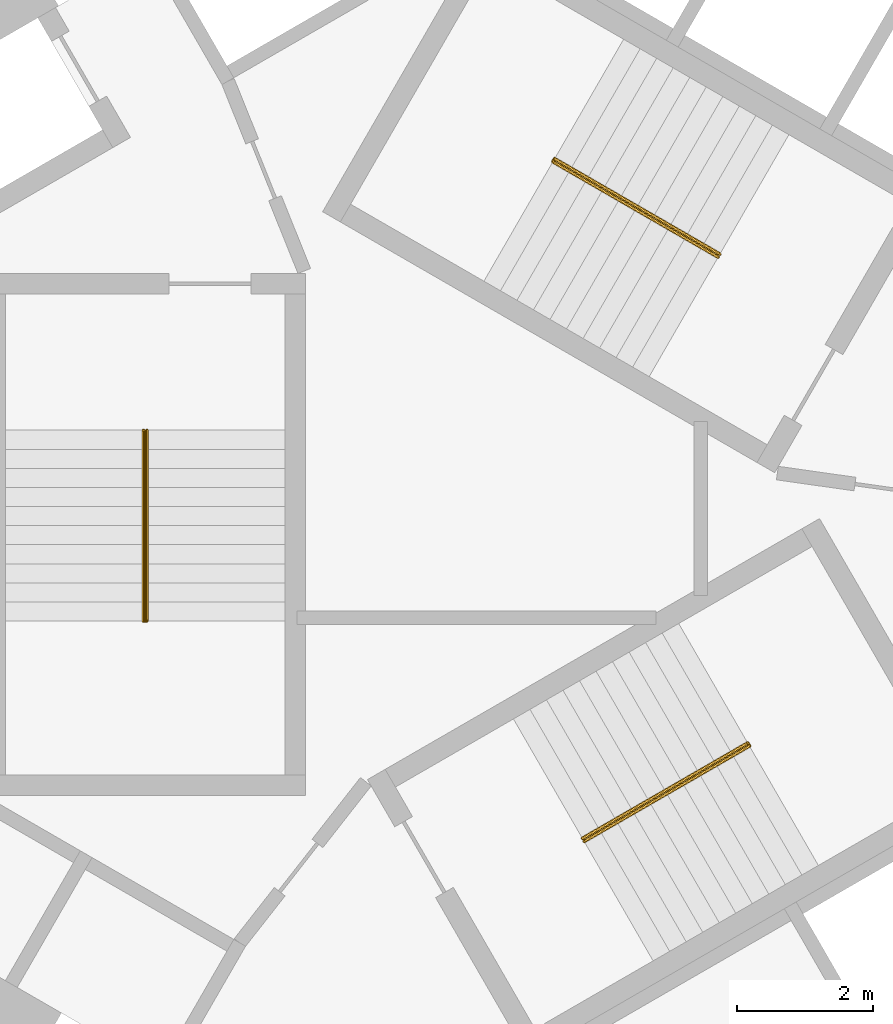
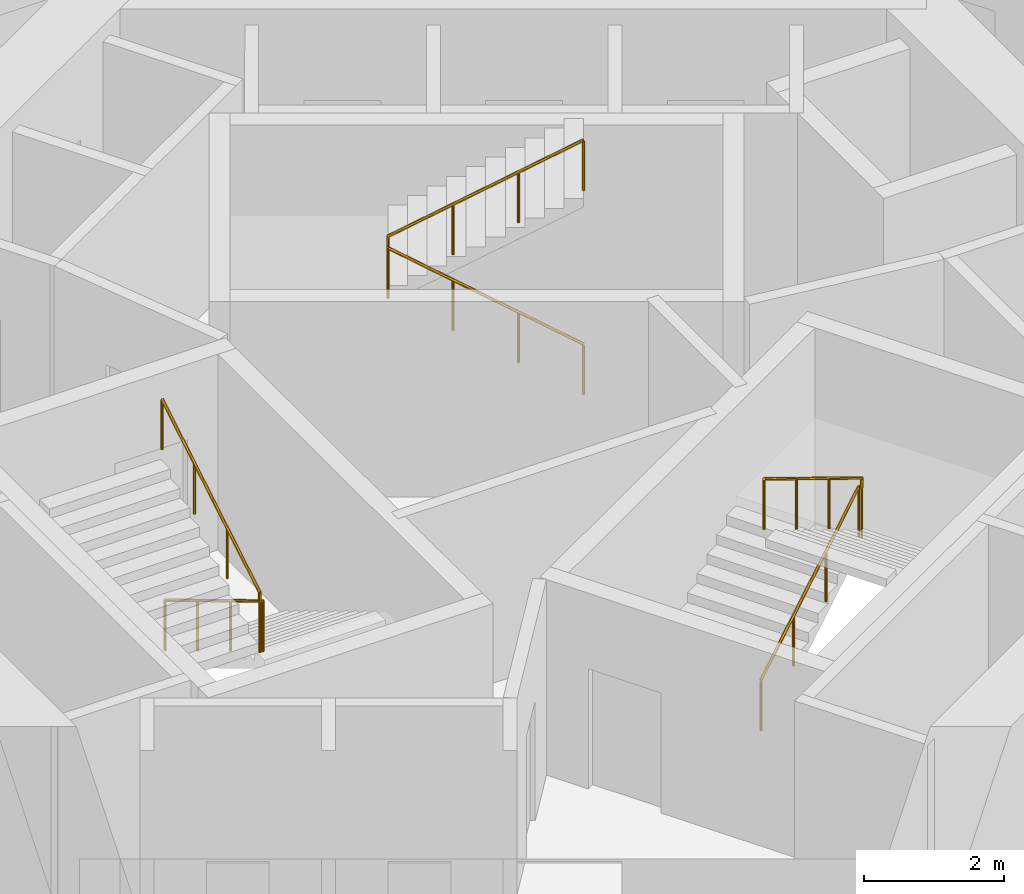
# One storey, part 12 of 12: 3 railings.
"""IFC4 building model written with IfcOpenShell, lengths in metres."""

from ifc_helpers import new_model, si_unit, direction, frame, origin, origin_2d, place, context, subcontext, project, spatial, circle, extrude, material, type_object, element, save


model = new_model("IFC4")

# Units and contexts
model_context = context("Model", 3, precision=1e-05, world=origin(), true_north=direction((0.0, 1.0)))
body_context = subcontext(model_context, "Body", "Model", "MODEL_VIEW")
ifc_project = project(units=[si_unit("LENGTHUNIT", "METRE"), si_unit("AREAUNIT", "SQUARE_METRE"), si_unit("VOLUMEUNIT", "CUBIC_METRE"), si_unit("PLANEANGLEUNIT", "RADIAN"), si_unit("MASSUNIT", "GRAM", prefix="KILO")], contexts=[model_context])

# Site, building, storey
site_placement = place(None, origin())
site = spatial("IfcSite", under=ifc_project, at=site_placement, CompositionType="ELEMENT")
building_placement = place(site_placement, origin())
building = spatial("IfcBuilding", under=site, at=building_placement, Name="Vanh Sen Convention Tower", CompositionType="ELEMENT")
storey_placement = place(building_placement, frame((0.0, 0.0, 124.39990234375)))
storey = spatial("IfcBuildingStorey", under=building, at=storey_placement, Name="L30", CompositionType="ELEMENT", Elevation=124.39990234375)

# Railings
ifc_material = material(Name="Stainless steel handrail", Category="steel")
railing_type = type_object("IfcRailingType", Name="Stair handrail 900", PredefinedType="HANDRAIL", material=ifc_material)
railing_1_placement = place(storey_placement, frame((3.45849609375, 3.690185546875, 0.168212890625)))
element("IfcRailing", 1, at=railing_1_placement, inside=storey, type_object=railing_type, Name="Stair handrail ST1 L30", PredefinedType="HANDRAIL", context=body_context, shape_type="SweptSolid", body=[
    extrude(circle(Radius=0.02392578125, at=origin_2d()), frame((0.0, 0.0, 0.8759765625), z_axis=(-0.742390482028, 0.42860119049, 0.514934356695), x_axis=(-0.49998411664, -0.866034573852, 0.0)), (0.0, 0.0, 1.0), 3.26611328125),
    extrude(circle(Radius=0.02392578125, at=origin_2d()), frame((-2.4248046875, 1.39990234375, 2.5576171875), z_axis=(0.497188445666, 0.867642581652, 0.0), x_axis=(-0.867642581652, 0.497188445666, 0.0)), (0.0, 0.0, 1.0), 0.050048828125),
    extrude(circle(Radius=0.02392578125, at=origin_2d()), frame((-2.39990234375, 1.443359375, 2.5576171875), z_axis=(0.0, 0.0, 1.0), x_axis=(1.0, 0.0, 0.0)), (0.0, 0.0, 1.0), 0.168212890625),
    extrude(circle(Radius=0.02392578125, at=origin_2d()), frame((-2.39990234375, 1.443359375, 2.72607421875), z_axis=(0.742366697286, -0.42866220388, 0.514917859203), x_axis=(0.500049511043, 0.865996816683, 0.0)), (0.0, 0.0, 1.0), 3.266357421875),
    extrude(circle(Radius=0.02099609375, at=origin_2d()), origin(), (0.0, 0.0, 1.0), 0.851806640625),
    extrude(circle(Radius=0.02099609375, at=origin_2d()), frame((-0.808349609375, 0.466552734375, 0.560546875)), (0.0, 0.0, 1.0), 0.851806640625),
    extrude(circle(Radius=0.02099609375, at=origin_2d()), frame((-1.616455078125, 0.933349609375, 1.121337890625)), (0.0, 0.0, 1.0), 0.851806640625),
    extrude(circle(Radius=0.02099609375, at=origin_2d()), frame((-2.4248046875, 1.39990234375, 1.681884765625)), (0.0, 0.0, 1.0), 0.851806640625),
    extrude(circle(Radius=0.02099609375, at=origin_2d()), frame((-2.39990234375, 1.443359375, 1.681884765625)), (0.0, 0.0, 1.0), 0.851806640625),
    extrude(circle(Radius=0.02099609375, at=origin_2d()), frame((-2.39990234375, 1.443359375, 1.85009765625)), (0.0, 0.0, 1.0), 0.851806640625),
    extrude(circle(Radius=0.02099609375, at=origin_2d()), frame((-1.591552734375, 0.9765625, 2.41064453125)), (0.0, 0.0, 1.0), 0.851806640625),
    extrude(circle(Radius=0.02099609375, at=origin_2d()), frame((-0.783447265625, 0.510009765625, 2.971435546875)), (0.0, 0.0, 1.0), 0.851806640625),
    extrude(circle(Radius=0.02099609375, at=origin_2d()), frame((0.02490234375, 0.043212890625, 3.531982421875)), (0.0, 0.0, 1.0), 0.851806640625),
])
railing_2_placement = place(storey_placement, frame((-4.925048828125, 1.14990234375, 0.168212890625)))
element("IfcRailing", 2, at=railing_2_placement, inside=storey, type_object=railing_type, Name="Stair handrail ST2 L30", PredefinedType="HANDRAIL", context=body_context, shape_type="SweptSolid", body=[
    extrude(circle(Radius=0.02392578125, at=origin_2d()), frame((0.0, 0.0, 0.8759765625), z_axis=(0.0, -0.857222391501, 0.514946377315), x_axis=(1.0, 0.0, 0.0)), (0.0, 0.0, 1.0), 3.26611328125),
    extrude(circle(Radius=0.02392578125, at=origin_2d()), frame((0.0, -2.7998046875, 2.5576171875), z_axis=(-1.0, 0.0, 0.0), x_axis=(0.0, -1.0, 0.0)), (0.0, 0.0, 1.0), 0.050048828125),
    extrude(circle(Radius=0.02392578125, at=origin_2d()), frame((-0.050048828125, -2.7998046875, 2.5576171875), z_axis=(0.0, 0.0, 1.0), x_axis=(1.0, 0.0, 0.0)), (0.0, 0.0, 1.0), 0.168212890625),
    extrude(circle(Radius=0.02392578125, at=origin_2d()), frame((-0.050048828125, -2.7998046875, 2.72607421875), z_axis=(0.0, 0.857222391501, 0.514946377315), x_axis=(-1.0, 0.0, 0.0)), (0.0, 0.0, 1.0), 3.26611328125),
    extrude(circle(Radius=0.02099609375, at=origin_2d()), origin(), (0.0, 0.0, 1.0), 0.851806640625),
    extrude(circle(Radius=0.02099609375, at=origin_2d()), frame((0.0, -0.933349609375, 0.560546875)), (0.0, 0.0, 1.0), 0.851806640625),
    extrude(circle(Radius=0.02099609375, at=origin_2d()), frame((0.0, -1.866455078125, 1.121337890625)), (0.0, 0.0, 1.0), 0.851806640625),
    extrude(circle(Radius=0.02099609375, at=origin_2d()), frame((0.0, -2.7998046875, 1.681884765625)), (0.0, 0.0, 1.0), 0.851806640625),
    extrude(circle(Radius=0.02099609375, at=origin_2d()), frame((-0.050048828125, -2.7998046875, 1.681884765625)), (0.0, 0.0, 1.0), 0.851806640625),
    extrude(circle(Radius=0.02099609375, at=origin_2d()), frame((-0.050048828125, -2.7998046875, 1.85009765625)), (0.0, 0.0, 1.0), 0.851806640625),
    extrude(circle(Radius=0.02099609375, at=origin_2d()), frame((-0.050048828125, -1.866455078125, 2.41064453125)), (0.0, 0.0, 1.0), 0.851806640625),
    extrude(circle(Radius=0.02099609375, at=origin_2d()), frame((-0.050048828125, -0.933349609375, 2.971435546875)), (0.0, 0.0, 1.0), 0.851806640625),
    extrude(circle(Radius=0.02099609375, at=origin_2d()), frame((-0.050048828125, 0.0, 3.531982421875)), (0.0, 0.0, 1.0), 0.851806640625),
])
railing_3_placement = place(storey_placement, frame((1.466552734375, -4.840087890625, 0.168212890625)))
element("IfcRailing", 3, at=railing_3_placement, inside=storey, type_object=railing_type, Name="Stair handrail ST3 L30", PredefinedType="HANDRAIL", context=body_context, shape_type="SweptSolid", body=[
    extrude(circle(Radius=0.02392578125, at=origin_2d()), frame((0.0, 0.0, 0.8759765625), z_axis=(0.742390482028, 0.42860119049, 0.514934356695), x_axis=(-0.49998411664, 0.866034573852, 0.0)), (0.0, 0.0, 1.0), 3.26611328125),
    extrude(circle(Radius=0.02392578125, at=origin_2d()), frame((2.4248046875, 1.39990234375, 2.5576171875), z_axis=(0.502959906984, -0.86430974307, 0.0), x_axis=(0.86430974307, 0.502959906984, 0.0)), (0.0, 0.0, 1.0), 0.050048828125),
    extrude(circle(Radius=0.02392578125, at=origin_2d()), frame((2.449951171875, 1.356689453125, 2.5576171875), z_axis=(0.0, 0.0, 1.0), x_axis=(1.0, 0.0, 0.0)), (0.0, 0.0, 1.0), 0.168212890625),
    extrude(circle(Radius=0.02392578125, at=origin_2d()), frame((2.449951171875, 1.356689453125, 2.72607421875), z_axis=(-0.742366697286, -0.42866220388, 0.514917859203), x_axis=(0.500049511043, -0.865996816683, 0.0)), (0.0, 0.0, 1.0), 3.266357421875),
    extrude(circle(Radius=0.02099609375, at=origin_2d()), origin(), (0.0, 0.0, 1.0), 0.851806640625),
    extrude(circle(Radius=0.02099609375, at=origin_2d()), frame((0.808349609375, 0.466552734375, 0.560546875)), (0.0, 0.0, 1.0), 0.851806640625),
    extrude(circle(Radius=0.02099609375, at=origin_2d()), frame((1.616455078125, 0.933349609375, 1.121337890625)), (0.0, 0.0, 1.0), 0.851806640625),
    extrude(circle(Radius=0.02099609375, at=origin_2d()), frame((2.4248046875, 1.39990234375, 1.681884765625)), (0.0, 0.0, 1.0), 0.851806640625),
    extrude(circle(Radius=0.02099609375, at=origin_2d()), frame((2.449951171875, 1.356689453125, 1.681884765625)), (0.0, 0.0, 1.0), 0.851806640625),
    extrude(circle(Radius=0.02099609375, at=origin_2d()), frame((2.449951171875, 1.356689453125, 1.85009765625)), (0.0, 0.0, 1.0), 0.851806640625),
    extrude(circle(Radius=0.02099609375, at=origin_2d()), frame((1.6416015625, 0.889892578125, 2.41064453125)), (0.0, 0.0, 1.0), 0.851806640625),
    extrude(circle(Radius=0.02099609375, at=origin_2d()), frame((0.83349609375, 0.42333984375, 2.971435546875)), (0.0, 0.0, 1.0), 0.851806640625),
    extrude(circle(Radius=0.02099609375, at=origin_2d()), frame((0.025146484375, -0.04345703125, 3.531982421875)), (0.0, 0.0, 1.0), 0.851806640625),
])

save(model, "model.ifc")
